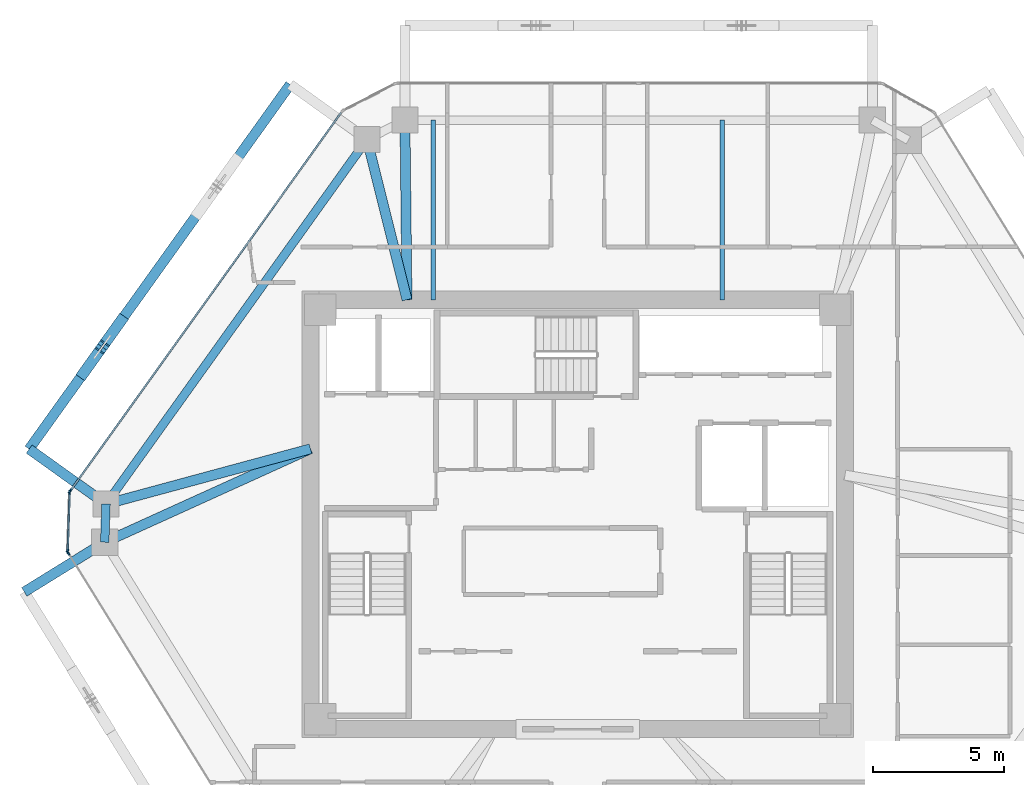
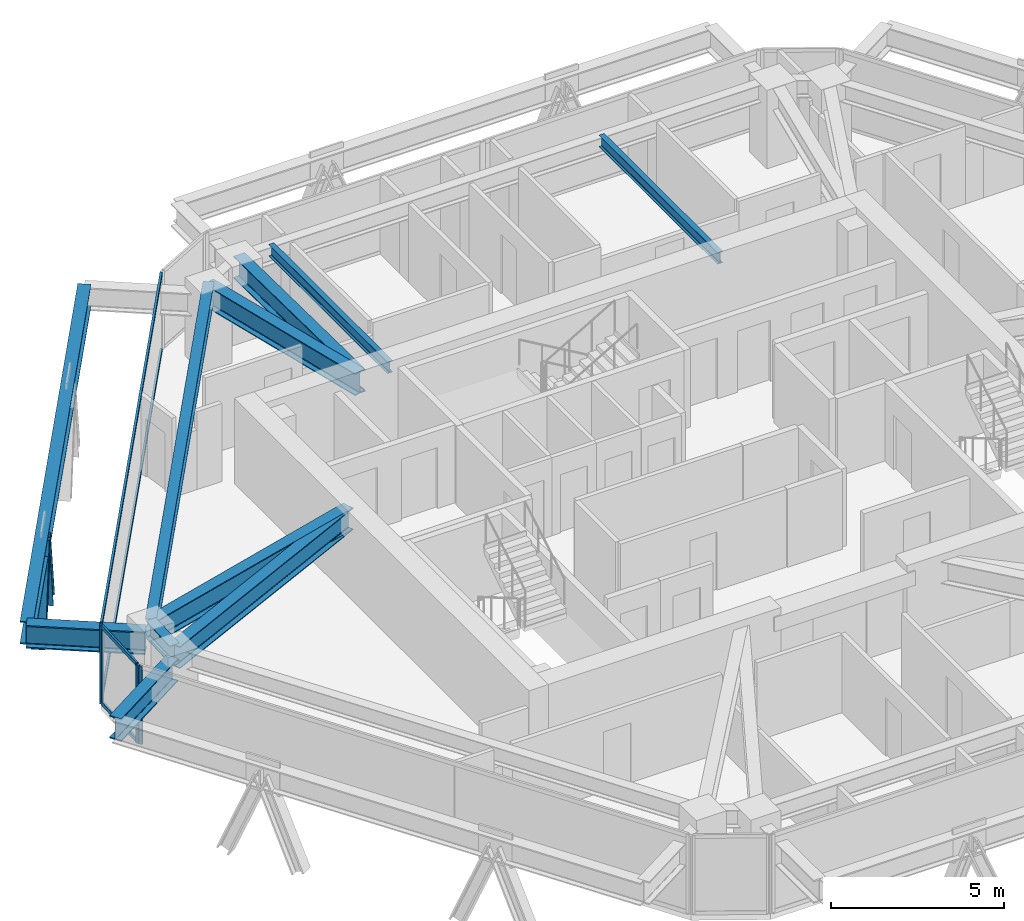
# One storey, part 4 of 15: 11 beams, 10 members, 3 elements without a shape of their own.
"""IFC4 building model written with IfcOpenShell, lengths in metres."""

from ifc_helpers import new_model, si_unit, direction, frame, origin, origin_2d, place, context, subcontext, project, spatial, rectangle, i_section, extrude, source, transform, mapped, material, layer, layer_set, material_profile, profile_set, type_object, type_shapes, element, aggregate, save


model = new_model("IFC4")

# Units and contexts
model_context = context("Model", 3, precision=1e-05, world=origin(), true_north=direction((0.0, 1.0)))
body_context = subcontext(model_context, "Body", "Model", "MODEL_VIEW")
ifc_project = project(units=[si_unit("LENGTHUNIT", "METRE"), si_unit("AREAUNIT", "SQUARE_METRE"), si_unit("VOLUMEUNIT", "CUBIC_METRE"), si_unit("PLANEANGLEUNIT", "RADIAN"), si_unit("MASSUNIT", "GRAM", prefix="KILO")], contexts=[model_context])

# Site, building, storey
site_placement = place(None, origin())
site = spatial("IfcSite", under=ifc_project, at=site_placement, CompositionType="ELEMENT")
building_placement = place(site_placement, origin())
building = spatial("IfcBuilding", under=site, at=building_placement, Name="Durnholm Broadcast Tower", CompositionType="ELEMENT")
storey_placement = place(building_placement, frame((0.0, 0.0, 206.199951171875)))
storey = spatial("IfcBuildingStorey", under=building, at=storey_placement, Name="L57", CompositionType="ELEMENT", Elevation=206.199951171875)

# Beams
ifc_material_1 = material(Name="Steel ASTM A992 Grade 50", Category="steel")
ifc_material_profile_1 = material_profile(ifc_material_1, i_section(OverallWidth=0.385009765625, OverallDepth=0.802978515625, WebThickness=0.023681640625, FlangeThickness=0.0419921875, FilletRadius=0.032958984375, at=origin_2d()), Name="W30X261")
ifc_profile_set_1 = profile_set([ifc_material_profile_1], Name="Steel ASTM A992 Grade 50")
beam_type_1 = type_object("IfcBeamType", Name="BM-EXO-TIE", PredefinedType="USERDEFINED", material=ifc_profile_set_1)
shared_shape_1 = source(origin(), body_context, "Body", "SweptSolid", [
    extrude(i_section(OverallWidth=0.385009765625, OverallDepth=0.802978515625, WebThickness=0.023681640625, FlangeThickness=0.0419921875, FilletRadius=0.032958984375, at=origin_2d()), origin(), (0.0, 0.0, 1.0), 3.4560546875),
])
beam_1_placement = place(storey_placement, frame((-18.131591796875, -1.13232421875, 2.008544921875), z_axis=(-0.850662348375, -0.525712439512, 0.0), x_axis=(0.525712439512, -0.850662348375, 0.0)))
element("IfcBeam", 1, at=beam_1_placement, inside=storey, type_object=beam_type_1, Name="L57 exoskeleton stand-off tie bracket F6.1", ObjectType="GIRDER", PredefinedType="USERDEFINED", context=body_context, shape_type="MappedRepresentation", body=[
    mapped(shared_shape_1, transform((0.0, 0.0, 0.0), x_axis=(1.0, 0.0, 0.0), y_axis=(0.0, 1.0, 0.0), z_axis=(0.0, 0.0, 1.0), scale=1.0)),
])
shared_shape_2 = source(origin(), body_context, "Body", "SweptSolid", [
    extrude(i_section(OverallWidth=0.385009765625, OverallDepth=0.802978515625, WebThickness=0.023681640625, FlangeThickness=0.0419921875, FilletRadius=0.032958984375, at=origin_2d()), origin(), (0.0, 0.0, 1.0), 3.455810546875),
])
beam_2_placement = place(storey_placement, frame((-18.076904296875, 0.4794921875, 2.008544921875), z_axis=(-0.813112485828, 0.582106592808, 0.0), x_axis=(-0.582106592808, -0.813112485828, 0.0)))
element("IfcBeam", 2, at=beam_2_placement, inside=storey, type_object=beam_type_1, Name="L57 exoskeleton stand-off tie bracket F5.2", ObjectType="GIRDER", PredefinedType="USERDEFINED", context=body_context, shape_type="MappedRepresentation", body=[
    mapped(shared_shape_2, transform((0.0, 0.0, 0.0), x_axis=(1.0, 0.0, 0.0), y_axis=(0.0, 1.0, 0.0), z_axis=(0.0, 0.0, 1.0), scale=1.0)),
])
ifc_material_profile_2 = material_profile(ifc_material_1, i_section(OverallWidth=0.3251953125, OverallDepth=0.6162109375, WebThickness=0.013916015625, FlangeThickness=0.021484375, FilletRadius=0.02783203125, at=origin_2d()), Name="W24X117")
ifc_profile_set_2 = profile_set([ifc_material_profile_2], Name="Steel ASTM A992 Grade 50")
beam_type_2 = type_object("IfcBeamType", Name="STL-SP-W24X117", PredefinedType="SPANDREL", material=ifc_profile_set_2)
shared_shape_3 = source(origin(), body_context, "Body", "SweptSolid", [
    extrude(i_section(OverallWidth=0.3251953125, OverallDepth=0.6162109375, WebThickness=0.013916015625, FlangeThickness=0.021484375, FilletRadius=0.02783203125, at=origin_2d()), origin(), (0.0, 0.0, 1.0), 1.452880859375),
])
beam_3_placement = place(storey_placement, frame((-18.009033203125, -1.056640625, 2.43701171875), z_axis=(0.03377359304, 0.999429509477, 0.0), x_axis=(-0.999429509477, 0.03377359304, 0.0)))
element("IfcBeam", 3, at=beam_3_placement, inside=storey, type_object=beam_type_2, Name="L57 perimeter spandrel girder 02", PredefinedType="SPANDREL", context=body_context, shape_type="MappedRepresentation", body=[
    mapped(shared_shape_3, transform((0.0, 0.0, 0.0), x_axis=(1.0, 0.0, 0.0), y_axis=(0.0, 1.0, 0.0), z_axis=(0.0, 0.0, 1.0), scale=1.0)),
])
shared_shape_4 = source(origin(), body_context, "Body", "SweptSolid", [
    extrude(i_section(OverallWidth=0.3251953125, OverallDepth=0.6162109375, WebThickness=0.013916015625, FlangeThickness=0.021484375, FilletRadius=0.02783203125, at=origin_2d()), origin(), (0.0, 0.0, 1.0), 17.07177734375),
])
type_shapes(beam_type_2, [shared_shape_3, shared_shape_4])
beam_4_placement = place(storey_placement, frame((-17.9599609375, 0.3955078125, 2.43701171875), z_axis=(0.582142843258, 0.813086532937, 0.0), x_axis=(-0.813086532937, 0.582142843258, 0.0)))
element("IfcBeam", 4, at=beam_4_placement, inside=storey, type_object=beam_type_2, Name="L57 perimeter spandrel girder 03", PredefinedType="SPANDREL", context=body_context, shape_type="MappedRepresentation", body=[
    mapped(shared_shape_4, transform((0.0, 0.0, 0.0), x_axis=(1.0, 0.0, 0.0), y_axis=(0.0, 1.0, 0.0), z_axis=(0.0, 0.0, 1.0), scale=1.0)),
])
shared_shape_5 = source(origin(), body_context, "Body", "SweptSolid", [
    extrude(i_section(OverallWidth=0.385009765625, OverallDepth=0.802978515625, WebThickness=0.023681640625, FlangeThickness=0.0419921875, FilletRadius=0.032958984375, at=origin_2d()), origin(), (0.0, 0.0, 1.0), 17.07177734375),
])
type_shapes(beam_type_1, [shared_shape_1, shared_shape_2, shared_shape_5])
beam_5_placement = place(storey_placement, frame((-10.948974609375, 16.3720703125, 2.008544921875), z_axis=(-0.582133388739, -0.813093301974, 0.0), x_axis=(0.813093301974, -0.582133388739, 0.0)))
element("IfcBeam", 5, at=beam_5_placement, inside=storey, type_object=beam_type_1, Name="L57 exoskeleton collector spandrel F5", PredefinedType="SPANDREL", context=body_context, shape_type="MappedRepresentation", body=[
    mapped(shared_shape_5, transform((0.0, 0.0, 0.0), x_axis=(1.0, 0.0, 0.0), y_axis=(0.0, 1.0, 0.0), z_axis=(0.0, 0.0, 1.0), scale=1.0)),
])
ifc_material_profile_3 = material_profile(ifc_material_1, i_section(OverallWidth=0.380615234375, OverallDepth=0.773193359375, WebThickness=0.0166015625, FlangeThickness=0.027099609375, FilletRadius=0.032958984375, at=origin_2d()), Name="W30X173")
ifc_profile_set_3 = profile_set([ifc_material_profile_3], Name="Steel ASTM A992 Grade 50")
beam_type_3 = type_object("IfcBeamType", Name="STL-GR-W30X173", PredefinedType="USERDEFINED", material=ifc_profile_set_3)
shared_shape_6 = source(origin(), body_context, "Body", "SweptSolid", [
    extrude(i_section(OverallWidth=0.380615234375, OverallDepth=0.773193359375, WebThickness=0.0166015625, FlangeThickness=0.027099609375, FilletRadius=0.032958984375, at=origin_2d()), origin(), (0.0, 0.0, 1.0), 8.603515625),
])
beam_6_placement = place(storey_placement, frame((-10.175048828125, 2.5, 2.3583984375), z_axis=(-0.910552971728, -0.413392411248, 0.0), x_axis=(0.413392411248, -0.910552971728, 0.0)))
element("IfcBeam", 6, at=beam_6_placement, inside=storey, type_object=beam_type_3, Name="L57 radial primary floor girder 02", ObjectType="GIRDER", PredefinedType="USERDEFINED", context=body_context, shape_type="MappedRepresentation", body=[
    mapped(shared_shape_6, transform((0.0, 0.0, 0.0), x_axis=(1.0, 0.0, 0.0), y_axis=(0.0, 1.0, 0.0), z_axis=(0.0, 0.0, 1.0), scale=1.0)),
])
shared_shape_7 = source(origin(), body_context, "Body", "SweptSolid", [
    extrude(i_section(OverallWidth=0.380615234375, OverallDepth=0.773193359375, WebThickness=0.0166015625, FlangeThickness=0.027099609375, FilletRadius=0.032958984375, at=origin_2d()), origin(), (0.0, 0.0, 1.0), 8.064453125),
])
beam_7_placement = place(storey_placement, frame((-10.175048828125, 2.5, 2.3583984375), z_axis=(-0.96534896552, -0.260962401066, 0.0), x_axis=(0.260962401066, -0.96534896552, 0.0)))
element("IfcBeam", 7, at=beam_7_placement, inside=storey, type_object=beam_type_3, Name="L57 radial primary floor girder 03", ObjectType="GIRDER", PredefinedType="USERDEFINED", context=body_context, shape_type="MappedRepresentation", body=[
    mapped(shared_shape_7, transform((0.0, 0.0, 0.0), x_axis=(1.0, 0.0, 0.0), y_axis=(0.0, 1.0, 0.0), z_axis=(0.0, 0.0, 1.0), scale=1.0)),
])
shared_shape_8 = source(origin(), body_context, "Body", "SweptSolid", [
    extrude(i_section(OverallWidth=0.380615234375, OverallDepth=0.773193359375, WebThickness=0.0166015625, FlangeThickness=0.027099609375, FilletRadius=0.032958984375, at=origin_2d()), origin(), (0.0, 0.0, 1.0), 6.288330078125),
])
beam_8_placement = place(storey_placement, frame((-6.5, 8.175048828125, 2.3583984375), z_axis=(-0.241996604408, 0.970277096223, 0.0), x_axis=(-0.970277096223, -0.241996604408, 0.0)))
element("IfcBeam", 8, at=beam_8_placement, inside=storey, type_object=beam_type_3, Name="L57 radial primary floor girder 04", ObjectType="GIRDER", PredefinedType="USERDEFINED", context=body_context, shape_type="MappedRepresentation", body=[
    mapped(shared_shape_8, transform((0.0, 0.0, 0.0), x_axis=(1.0, 0.0, 0.0), y_axis=(0.0, 1.0, 0.0), z_axis=(0.0, 0.0, 1.0), scale=1.0)),
])
shared_shape_9 = source(origin(), body_context, "Body", "SweptSolid", [
    extrude(i_section(OverallWidth=0.380615234375, OverallDepth=0.773193359375, WebThickness=0.0166015625, FlangeThickness=0.027099609375, FilletRadius=0.032958984375, at=origin_2d()), origin(), (0.0, 0.0, 1.0), 6.843505859375),
])
type_shapes(beam_type_3, [shared_shape_6, shared_shape_7, shared_shape_8, shared_shape_9])
beam_9_placement = place(storey_placement, frame((-6.5, 8.175048828125, 2.3583984375), z_axis=(-0.011487343604, 0.999934018292, 0.0), x_axis=(-0.999934018292, -0.011487343604, 0.0)))
element("IfcBeam", 9, at=beam_9_placement, inside=storey, type_object=beam_type_3, Name="L57 radial primary floor girder 05", ObjectType="GIRDER", PredefinedType="USERDEFINED", context=body_context, shape_type="MappedRepresentation", body=[
    mapped(shared_shape_9, transform((0.0, 0.0, 0.0), x_axis=(1.0, 0.0, 0.0), y_axis=(0.0, 1.0, 0.0), z_axis=(0.0, 0.0, 1.0), scale=1.0)),
])
ifc_material_profile_4 = material_profile(ifc_material_1, i_section(OverallWidth=0.177734375, OverallDepth=0.40673828125, WebThickness=0.0078125, FlangeThickness=0.0126953125, FilletRadius=0.01904296875, at=origin_2d()), Name="W16X40")
ifc_profile_set_4 = profile_set([ifc_material_profile_4], Name="Steel ASTM A992 Grade 50")
beam_type_4 = type_object("IfcBeamType", Name="STL-BJ-W16X40", PredefinedType="JOIST", material=ifc_profile_set_4)
shared_shape_10 = source(origin(), body_context, "Body", "SweptSolid", [
    extrude(i_section(OverallWidth=0.177734375, OverallDepth=0.40673828125, WebThickness=0.0078125, FlangeThickness=0.0126953125, FilletRadius=0.01904296875, at=origin_2d()), origin(), (0.0, 0.0, 1.0), 6.843017578125),
])
type_shapes(beam_type_4, [shared_shape_10])
for number, where, z_axis, x_axis, name in (
    (10, (-5.5, 8.175048828125, 2.541748046875), (0.0, 1.0, 0.0), (-1.0, 0.0, 0.0), "L57 secondary floor joist 3.2"),
    (11, (5.5, 8.175048828125, 2.541748046875), (0.0, 1.0, 0.0), (-1.0, 0.0, 0.0), "L57 secondary floor joist 4.2"),
):
    element("IfcBeam", number, at=place(storey_placement, frame(where, z_axis=z_axis, x_axis=x_axis)), inside=storey, type_object=beam_type_4, Name=name, PredefinedType="JOIST", context=body_context, shape_type="MappedRepresentation", body=[
        mapped(shared_shape_10, transform((0.0, 0.0, 0.0), x_axis=(1.0, 0.0, 0.0), y_axis=(0.0, 1.0, 0.0), z_axis=(0.0, 0.0, 1.0), scale=1.0)),
    ])

# Members
ifc_material_2 = material(Name="Steel ASTM A913 Grade 65", Category="steel")
ifc_material_profile_5 = material_profile(ifc_material_2, i_section(OverallWidth=0.412109375, OverallDepth=0.434814453125, WebThickness=0.035888671875, FlangeThickness=0.057373046875, FilletRadius=0.030517578125, at=origin_2d()), Name="W14X311")
ifc_profile_set_5 = profile_set([ifc_material_profile_5], Name="Steel ASTM A913 Grade 65")
member_type_1 = type_object("IfcMemberType", Name="STL-DG-W14X311", PredefinedType="BRACE", material=ifc_profile_set_5)
shared_shape_11 = source(origin(), body_context, "Body", "SweptSolid", [
    extrude(i_section(OverallWidth=0.412109375, OverallDepth=0.434814453125, WebThickness=0.035888671875, FlangeThickness=0.057373046875, FilletRadius=0.030517578125, at=origin_2d()), origin(), (0.0, 0.0, 1.0), 3.24365234375),
])
member_1_placement = place(storey_placement, frame((-18.822509765625, 5.374755859375, -0.991455078125), z_axis=(0.22135424125, 0.309263712104, 0.924855802953), x_axis=(-0.813171482985, 0.58202417412, 0.0)))
element("IfcMember", 12, at=member_1_placement, inside=storey, type_object=member_type_1, Name="L57 stand-off diagrid brace F5.D2.2", PredefinedType="BRACE", context=body_context, shape_type="MappedRepresentation", body=[
    mapped(shared_shape_11, transform((0.0, 0.0, 0.0), x_axis=(1.0, 0.0, 0.0), y_axis=(0.0, 1.0, 0.0), z_axis=(0.0, 0.0, 1.0), scale=1.0)),
])
shared_shape_12 = source(origin(), body_context, "Body", "SweptSolid", [
    extrude(i_section(OverallWidth=0.412109375, OverallDepth=0.434814453125, WebThickness=0.035888671875, FlangeThickness=0.057373046875, FilletRadius=0.030517578125, at=origin_2d()), origin(), (0.0, 0.0, 1.0), 3.243896484375),
])
type_shapes(member_type_1, [shared_shape_11, shared_shape_12])
member_2_placement = place(storey_placement, frame((-17.38623046875, 7.381103515625, -0.991455078125), z_axis=(-0.22142581661, -0.309258558956, 0.92484039242), x_axis=(0.813077820009, -0.582155012526, 0.0)))
element("IfcMember", 13, at=member_2_placement, inside=storey, type_object=member_type_1, Name="L57 stand-off diagrid brace F5.D2.1", PredefinedType="BRACE", context=body_context, shape_type="MappedRepresentation", body=[
    mapped(shared_shape_12, transform((0.0, 0.0, 0.0), x_axis=(1.0, 0.0, 0.0), y_axis=(0.0, 1.0, 0.0), z_axis=(0.0, 0.0, 1.0), scale=1.0)),
])

# Curtain wall, members
ifc_material_3 = material(Name="Aluminium and Solar Control IGU", Category="aluminium")
ifc_layer_1 = layer(ifc_material_3, 0.1650390625)
ifc_layer_set_1 = layer_set([ifc_layer_1], Name="Aluminium and Solar Control IGU")
curtain_wall_type_1 = type_object("IfcCurtainWallType", Name="CW-SYS-5", PredefinedType="NOTDEFINED", material=ifc_layer_set_1)
curtain_wall_1_placement = place(storey_placement, origin())
curtain_wall_1 = element("IfcCurtainWall", 14, at=curtain_wall_1_placement, inside=storey, type_object=curtain_wall_type_1, Name="L57 curtain wall CW-CORNER CW-L57-CRN-01", PredefinedType="NOTDEFINED")
ifc_material_4 = material(Name="Aluminium 6063-T6", Category="aluminium")
ifc_material_profile_6 = material_profile(ifc_material_4, rectangle(XDim=0.06494140625, YDim=0.1650390625, at=origin_2d()), Name="CWM65X165")
ifc_profile_set_6 = profile_set([ifc_material_profile_6], Name="Aluminium 6063-T6")
member_type_2 = type_object("IfcMemberType", Name="CW-SYS-5-MUL", PredefinedType="MULLION", material=ifc_profile_set_6)
shared_shape_13 = source(origin(), body_context, "Body", "SweptSolid", [
    extrude(rectangle(XDim=0.06494140625, YDim=0.1650390625, at=origin_2d()), origin(), (0.0, 0.0, 1.0), 2.760009765625),
])
type_shapes(member_type_2, [shared_shape_13])
member_3_placement = place(storey_placement, frame((-19.421630859375, -1.39990234375, 0.0), z_axis=(0.0, 0.0, 1.0), x_axis=(-0.999424798802, 0.033912704699, 0.0)))
member_3 = element("IfcMember", 15, at=member_3_placement, type_object=member_type_2, Name="CW-CORNER mullion 1", PredefinedType="MULLION", context=body_context, shape_type="MappedRepresentation", body=[
    mapped(shared_shape_13, transform((0.0, 0.0, 0.0), x_axis=(1.0, 0.0, 0.0), y_axis=(0.0, 1.0, 0.0), z_axis=(0.0, 0.0, 1.0), scale=1.0)),
])
member_4_placement = place(storey_placement, frame((-19.345703125, 0.833740234375, 0.0), z_axis=(0.0, 0.0, 1.0), x_axis=(-0.999424798802, 0.033912704699, 0.0)))
member_4 = element("IfcMember", 16, at=member_4_placement, type_object=member_type_2, Name="CW-CORNER mullion 2", PredefinedType="MULLION", context=body_context, shape_type="MappedRepresentation", body=[
    mapped(shared_shape_13, transform((0.0, 0.0, 0.0), x_axis=(1.0, 0.0, 0.0), y_axis=(0.0, 1.0, 0.0), z_axis=(0.0, 0.0, 1.0), scale=1.0)),
])
ifc_material_profile_7 = material_profile(ifc_material_4, rectangle(XDim=0.06494140625, YDim=0.1298828125, at=origin_2d()), Name="CWT65X130")
ifc_profile_set_7 = profile_set([ifc_material_profile_7], Name="Aluminium 6063-T6")
member_type_3 = type_object("IfcMemberType", Name="CW-SYS-5-TRN", PredefinedType="USERDEFINED", material=ifc_profile_set_7)
shared_shape_14 = source(origin(), body_context, "Body", "SweptSolid", [
    extrude(rectangle(XDim=0.06494140625, YDim=0.1298828125, at=origin_2d()), origin(), (0.0, 0.0, 1.0), 2.169921875),
])
type_shapes(member_type_3, [shared_shape_14])
member_5_placement = place(storey_placement, frame((-19.42041015625, -1.367431640625, 0.032470703125), z_axis=(0.033865512339, 0.999426399028, 0.0), x_axis=(-0.999426399028, 0.033865512339, 0.0)))
member_5 = element("IfcMember", 17, at=member_5_placement, type_object=member_type_3, Name="CW-CORNER transom 1.1", ObjectType="TRANSOM", PredefinedType="USERDEFINED", context=body_context, shape_type="MappedRepresentation", body=[
    mapped(shared_shape_14, transform((0.0, 0.0, 0.0), x_axis=(1.0, 0.0, 0.0), y_axis=(0.0, 1.0, 0.0), z_axis=(0.0, 0.0, 1.0), scale=1.0)),
])
member_6_placement = place(storey_placement, frame((-19.42041015625, -1.367431640625, 2.7275390625), z_axis=(0.033865512339, 0.999426399028, 0.0), x_axis=(-0.999426399028, 0.033865512339, 0.0)))
member_6 = element("IfcMember", 18, at=member_6_placement, type_object=member_type_3, Name="CW-CORNER transom 1.2", ObjectType="TRANSOM", PredefinedType="USERDEFINED", context=body_context, shape_type="MappedRepresentation", body=[
    mapped(shared_shape_14, transform((0.0, 0.0, 0.0), x_axis=(1.0, 0.0, 0.0), y_axis=(0.0, 1.0, 0.0), z_axis=(0.0, 0.0, 1.0), scale=1.0)),
])
aggregate(curtain_wall_1, [member_3, member_4, member_5, member_6])

ifc_layer_2 = layer(ifc_material_3, 0.18994140625)
ifc_layer_set_2 = layer_set([ifc_layer_2], Name="Aluminium and Solar Control IGU")
curtain_wall_type_2 = type_object("IfcCurtainWallType", Name="CW-SYS-4", PredefinedType="NOTDEFINED", material=ifc_layer_set_2)
curtain_wall_2_placement = place(storey_placement, origin())
curtain_wall_2 = element("IfcCurtainWall", 19, at=curtain_wall_2_placement, inside=storey, type_object=curtain_wall_type_2, Name="L57 curtain wall CW-Z34-VIS CW-L57-F02", PredefinedType="NOTDEFINED")
ifc_material_profile_8 = material_profile(ifc_material_4, rectangle(XDim=0.070068359375, YDim=0.14990234375, at=origin_2d()), Name="CWT70X150")
ifc_profile_set_8 = profile_set([ifc_material_profile_8], Name="Aluminium 6063-T6")
member_type_4 = type_object("IfcMemberType", Name="CW-SYS-4-TRN", PredefinedType="USERDEFINED", material=ifc_profile_set_8)
shared_shape_15 = source(origin(), body_context, "Body", "SweptSolid", [
    extrude(rectangle(XDim=0.070068359375, YDim=0.14990234375, at=origin_2d()), origin(), (0.0, 0.0, 1.0), 17.69384765625),
])
type_shapes(member_type_4, [shared_shape_15])
member_7_placement = place(storey_placement, frame((-19.303955078125, 0.923095703125, 0.03515625), z_axis=(0.582138438195, 0.813089686797, 0.0), x_axis=(-0.813089686797, 0.582138438195, 0.0)))
member_7 = element("IfcMember", 20, at=member_7_placement, type_object=member_type_4, Name="CW-Z34-VIS transom 1.1", ObjectType="TRANSOM", PredefinedType="USERDEFINED", context=body_context, shape_type="MappedRepresentation", body=[
    mapped(shared_shape_15, transform((0.0, 0.0, 0.0), x_axis=(1.0, 0.0, 0.0), y_axis=(0.0, 1.0, 0.0), z_axis=(0.0, 0.0, 1.0), scale=1.0)),
])
member_8_placement = place(storey_placement, frame((-19.303955078125, 0.923095703125, 2.72509765625), z_axis=(0.582138438195, 0.813089686797, 0.0), x_axis=(-0.813089686797, 0.582138438195, 0.0)))
member_8 = element("IfcMember", 21, at=member_8_placement, type_object=member_type_4, Name="CW-Z34-VIS transom 1.2", ObjectType="TRANSOM", PredefinedType="USERDEFINED", context=body_context, shape_type="MappedRepresentation", body=[
    mapped(shared_shape_15, transform((0.0, 0.0, 0.0), x_axis=(1.0, 0.0, 0.0), y_axis=(0.0, 1.0, 0.0), z_axis=(0.0, 0.0, 1.0), scale=1.0)),
])
ifc_material_profile_9 = material_profile(ifc_material_4, rectangle(XDim=0.070068359375, YDim=0.18994140625, at=origin_2d()), Name="CWM70X190")
ifc_profile_set_9 = profile_set([ifc_material_profile_9], Name="Aluminium 6063-T6")
member_type_5 = type_object("IfcMemberType", Name="CW-SYS-4-MUL", PredefinedType="MULLION", material=ifc_profile_set_9)
shared_shape_16 = source(origin(), body_context, "Body", "SweptSolid", [
    extrude(rectangle(XDim=0.070068359375, YDim=0.18994140625, at=origin_2d()), origin(), (0.0, 0.0, 1.0), 2.760009765625),
])
type_shapes(member_type_5, [shared_shape_16])
member_9_placement = place(storey_placement, frame((-19.32421875, 0.894775390625, 0.0), z_axis=(0.0, 0.0, 1.0), x_axis=(-0.813089262696, 0.582139030549, 0.0)))
member_9 = element("IfcMember", 22, at=member_9_placement, type_object=member_type_5, Name="CW-Z34-VIS mullion 1", PredefinedType="MULLION", context=body_context, shape_type="MappedRepresentation", body=[
    mapped(shared_shape_16, transform((0.0, 0.0, 0.0), x_axis=(1.0, 0.0, 0.0), y_axis=(0.0, 1.0, 0.0), z_axis=(0.0, 0.0, 1.0), scale=1.0)),
])
aggregate(curtain_wall_2, [member_9, member_7, member_8])

# Curtain wall, member
curtain_wall_3_placement = place(storey_placement, origin())
curtain_wall_3 = element("IfcCurtainWall", 23, at=curtain_wall_3_placement, inside=storey, type_object=curtain_wall_type_2, Name="L57 curtain wall CW-Z34-VIS CW-L57-F12", PredefinedType="NOTDEFINED")
member_10_placement = place(storey_placement, frame((-19.404296875, -1.462158203125, 0.0), z_axis=(0.0, 0.0, 1.0), x_axis=(-0.850671426092, -0.525697750452, 0.0)))
member_10 = element("IfcMember", 24, at=member_10_placement, type_object=member_type_5, Name="CW-Z34-VIS mullion 2", PredefinedType="MULLION", context=body_context, shape_type="MappedRepresentation", body=[
    mapped(shared_shape_16, transform((0.0, 0.0, 0.0), x_axis=(1.0, 0.0, 0.0), y_axis=(0.0, 1.0, 0.0), z_axis=(0.0, 0.0, 1.0), scale=1.0)),
])
aggregate(curtain_wall_3, [member_10])

save(model, "model.ifc")
